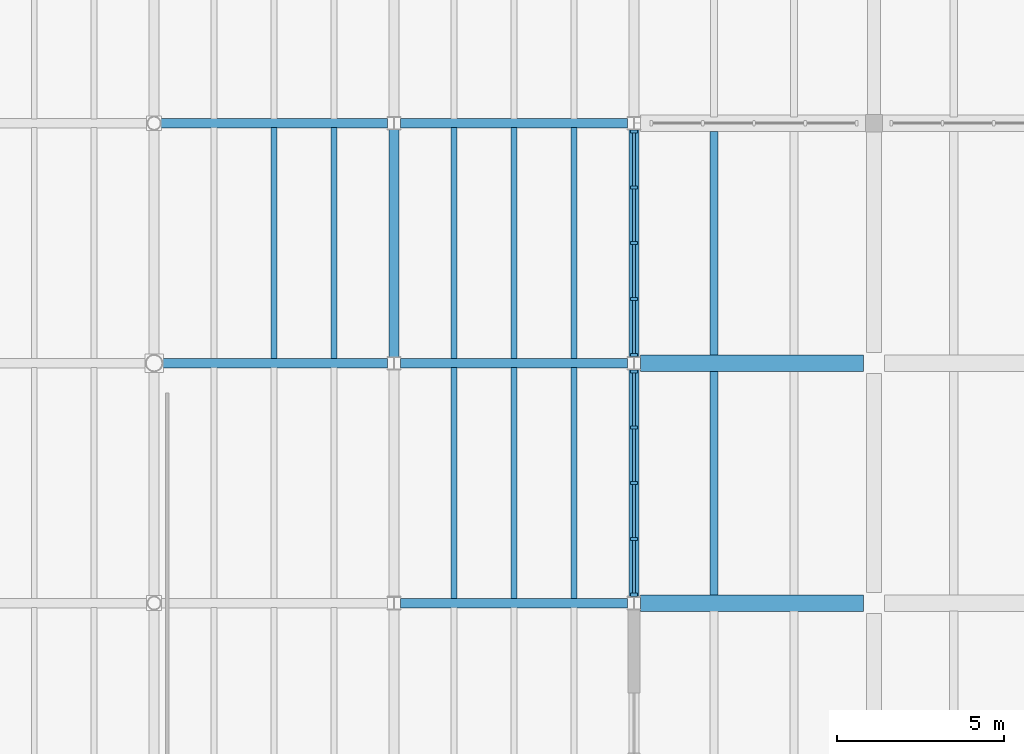
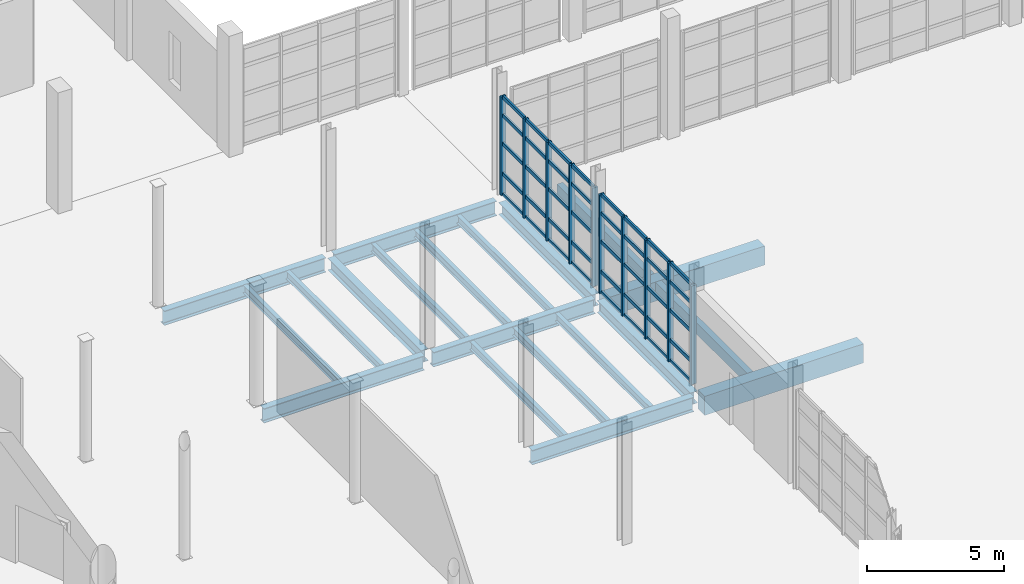
# One storey, part 36 of 79: 50 members, 20 beams, 2 elements without a shape of their own.
"""IFC4 building model written with IfcOpenShell, lengths in metres."""

from ifc_helpers import new_model, si_unit, direction, frame, origin, origin_2d, place, context, subcontext, project, spatial, rectangle, i_section, extrude, material, material_profile, profile_set, type_object, element, aggregate, save


model = new_model("IFC4")

# Units and contexts
model_context = context("Model", 3, precision=1e-05, world=origin(), true_north=direction((0.0, 1.0)))
body_context = subcontext(model_context, "Body", "Model", "MODEL_VIEW")
ifc_project = project(units=[si_unit("LENGTHUNIT", "METRE"), si_unit("AREAUNIT", "SQUARE_METRE"), si_unit("VOLUMEUNIT", "CUBIC_METRE"), si_unit("PLANEANGLEUNIT", "RADIAN"), si_unit("MASSUNIT", "GRAM", prefix="KILO")], contexts=[model_context])

# Site, building, storey
site_placement = place(None, origin())
site = spatial("IfcSite", under=ifc_project, at=site_placement, CompositionType="ELEMENT")
building_placement = place(site_placement, origin())
building = spatial("IfcBuilding", under=site, at=building_placement, Name="Qiaolan Assembly House", CompositionType="ELEMENT")
storey_placement = place(building_placement, origin())
storey = spatial("IfcBuildingStorey", under=building, at=storey_placement, Name="L00", CompositionType="ELEMENT", Elevation=0.0)

# Beams
ifc_material_1 = material(Name="Concrete C45/55", Category="concrete")
ifc_material_profile_1 = material_profile(ifc_material_1, rectangle(XDim=0.5, YDim=0.85009765625, at=origin_2d()), Name="RCB 500x850")
ifc_profile_set_1 = profile_set([ifc_material_profile_1], Name="Concrete C45/55")
beam_type_1 = type_object("IfcBeamType", Name="BM-RC-500x850", PredefinedType="BEAM", material=ifc_profile_set_1)
for number, where, z_axis, x_axis, name in (
    (1, (108.18994140625, 64.800048828125, -0.764892578125), (1.0, 0.0, 0.0), (0.0, 1.0, 0.0), "GB-02 beam BMX-CLCRT-L00-00-03"),
    (2, (108.18994140625, 72.0, -0.764892578125), (1.0, 0.0, 0.0), (0.0, 1.0, 0.0), "GB-02 beam BMX-CLCRT-L00-00-04"),
):
    element("IfcBeam", number, at=place(storey_placement, frame(where, z_axis=z_axis, x_axis=x_axis)), inside=storey, type_object=beam_type_1, Name=name, PredefinedType="BEAM", context=body_context, shape_type="SweptSolid", body=[
        extrude(rectangle(XDim=0.5, YDim=0.85009765625, at=origin_2d()), origin(), (0.0, 0.0, 1.0), 6.695068359375),
    ])
ifc_material_2 = material(Name="Steel Q355B", Category="steel")
ifc_material_profile_2 = material_profile(ifc_material_2, i_section(OverallWidth=0.300048828125, OverallDepth=0.5400390625, WebThickness=0.010986328125, FlangeThickness=0.01806640625, FilletRadius=0.02001953125, at=origin_2d()), Name="HM 540x300x11x18")
ifc_profile_set_2 = profile_set([ifc_material_profile_2], Name="Steel Q355B")
beam_type_2 = type_object("IfcBeamType", Name="BM-STL-HM540", PredefinedType="BEAM", material=ifc_profile_set_2)
for number, where, z_axis, x_axis, name in (
    (3, (100.800048828125, 72.18994140625, -0.570068359375), (0.0, 1.0, 0.0), (-1.0, 0.0, 0.0), "SB-12 beam BMY-HL-L00-11-05"),
    (4, (108.0, 64.989990234375, -0.610107421875), (0.0, 1.0, 0.0), (-1.0, 0.0, 0.0), "SB-12 beam BMY-HL-L00-12-04"),
    (5, (108.0, 72.18994140625, -0.610107421875), (0.0, 1.0, 0.0), (-1.0, 0.0, 0.0), "SB-12 beam BMY-HL-L00-12-05"),
):
    element("IfcBeam", number, at=place(storey_placement, frame(where, z_axis=z_axis, x_axis=x_axis)), inside=storey, type_object=beam_type_2, Name=name, PredefinedType="BEAM", context=body_context, shape_type="SweptSolid", body=[
        extrude(i_section(OverallWidth=0.300048828125, OverallDepth=0.5400390625, WebThickness=0.010986328125, FlangeThickness=0.01806640625, FilletRadius=0.02001953125, at=origin_2d()), origin(), (0.0, 0.0, 1.0), 6.820068359375),
    ])
ifc_material_profile_3 = material_profile(ifc_material_2, i_section(OverallWidth=0.280029296875, OverallDepth=0.64990234375, WebThickness=0.011962890625, FlangeThickness=0.02197265625, FilletRadius=0.02197265625, at=origin_2d()), Name="HN 650x280x12x22")
ifc_profile_set_3 = profile_set([ifc_material_profile_3], Name="Steel Q355B")
beam_type_3 = type_object("IfcBeamType", Name="BM-STL-HN650", PredefinedType="BEAM", material=ifc_profile_set_3)
beam_1_placement = place(storey_placement, frame((100.989990234375, 64.800048828125, -0.625), z_axis=(1.0, 0.0, 0.0), x_axis=(0.0, 1.0, 0.0)))
element("IfcBeam", 6, at=beam_1_placement, inside=storey, type_object=beam_type_3, Name="SB-10 beam BMX-HL-L00-11-04", PredefinedType="BEAM", context=body_context, shape_type="SweptSolid", body=[
    extrude(i_section(OverallWidth=0.280029296875, OverallDepth=0.64990234375, WebThickness=0.011962890625, FlangeThickness=0.02197265625, FilletRadius=0.02197265625, at=origin_2d()), origin(), (0.0, 0.0, 1.0), 6.820068359375),
])
beam_2_placement = place(storey_placement, frame((93.843994140625, 72.0, -0.625), z_axis=(1.0, 0.0, 0.0), x_axis=(0.0, 1.0, 0.0)))
element("IfcBeam", 7, at=beam_2_placement, inside=storey, type_object=beam_type_3, Name="SB-10 beam BMX-HL-L00-10-05", PredefinedType="BEAM", context=body_context, shape_type="SweptSolid", body=[
    extrude(i_section(OverallWidth=0.280029296875, OverallDepth=0.64990234375, WebThickness=0.011962890625, FlangeThickness=0.02197265625, FilletRadius=0.02197265625, at=origin_2d()), origin(), (0.0, 0.0, 1.0), 6.76611328125),
])
beam_3_placement = place(storey_placement, frame((100.989990234375, 72.0, -0.625), z_axis=(1.0, 0.0, 0.0), x_axis=(0.0, 1.0, 0.0)))
element("IfcBeam", 8, at=beam_3_placement, inside=storey, type_object=beam_type_3, Name="SB-10 beam BMX-HL-L00-11-05", PredefinedType="BEAM", context=body_context, shape_type="SweptSolid", body=[
    extrude(i_section(OverallWidth=0.280029296875, OverallDepth=0.64990234375, WebThickness=0.011962890625, FlangeThickness=0.02197265625, FilletRadius=0.02197265625, at=origin_2d()), origin(), (0.0, 0.0, 1.0), 6.820068359375),
])
beam_4_placement = place(storey_placement, frame((93.793212890625, 79.199951171875, -0.625), z_axis=(1.0, 0.0, 0.0), x_axis=(0.0, 1.0, 0.0)))
element("IfcBeam", 9, at=beam_4_placement, inside=storey, type_object=beam_type_3, Name="SB-10 beam BMX-HL-L00-10-06", PredefinedType="BEAM", context=body_context, shape_type="SweptSolid", body=[
    extrude(i_section(OverallWidth=0.280029296875, OverallDepth=0.64990234375, WebThickness=0.011962890625, FlangeThickness=0.02197265625, FilletRadius=0.02197265625, at=origin_2d()), origin(), (0.0, 0.0, 1.0), 6.81689453125),
])
beam_5_placement = place(storey_placement, frame((100.989990234375, 79.199951171875, -0.625), z_axis=(1.0, 0.0, 0.0), x_axis=(0.0, 1.0, 0.0)))
element("IfcBeam", 10, at=beam_5_placement, inside=storey, type_object=beam_type_3, Name="SB-10 beam BMX-HL-L00-11-06", PredefinedType="BEAM", context=body_context, shape_type="SweptSolid", body=[
    extrude(i_section(OverallWidth=0.280029296875, OverallDepth=0.64990234375, WebThickness=0.011962890625, FlangeThickness=0.02197265625, FilletRadius=0.02197265625, at=origin_2d()), origin(), (0.0, 0.0, 1.0), 6.820068359375),
])

# Curtain wall, members
ifc_material_3 = material(Name="Anodised bronze aluminium", Category="aluminium")
curtain_wall_type = type_object("IfcCurtainWallType", Name="CW-HALL-MAIN-540", PredefinedType="NOTDEFINED", material=ifc_material_3)
curtain_wall_1_placement = place(storey_placement, origin())
curtain_wall_1 = element("IfcCurtainWall", 11, at=curtain_wall_1_placement, inside=storey, type_object=curtain_wall_type, Name="CW-01 Hall East court curtain wall L00-4", PredefinedType="NOTDEFINED")
ifc_material_profile_4 = material_profile(ifc_material_3, rectangle(XDim=0.092041015625, YDim=0.219970703125, at=origin_2d()), Name="MUL 92x220")
ifc_profile_set_4 = profile_set([ifc_material_profile_4], Name="Anodised bronze aluminium")
member_type_1 = type_object("IfcMemberType", Name="CW-HALL-MAIN-540-MUL", PredefinedType="MULLION", material=ifc_profile_set_4)
member_1_placement = place(storey_placement, frame((108.0, 71.75, 0.0), z_axis=(0.0, 0.0, 1.0), x_axis=(0.0, -1.0, 0.0)))
member_1 = element("IfcMember", 12, at=member_1_placement, type_object=member_type_1, Name="ML-01 mullion CW-HALL-E-L00-03-1", PredefinedType="MULLION", context=body_context, shape_type="SweptSolid", body=[
    extrude(rectangle(XDim=0.092041015625, YDim=0.219970703125, at=origin_2d()), origin(), (0.0, 0.0, 1.0), 4.39990234375),
])
member_2_placement = place(storey_placement, frame((108.0, 70.074951171875, 0.0), z_axis=(0.0, 0.0, 1.0), x_axis=(0.0, -1.0, 0.0)))
member_2 = element("IfcMember", 13, at=member_2_placement, type_object=member_type_1, Name="ML-01 mullion CW-HALL-E-L00-03-2", PredefinedType="MULLION", context=body_context, shape_type="SweptSolid", body=[
    extrude(rectangle(XDim=0.092041015625, YDim=0.219970703125, at=origin_2d()), origin(), (0.0, 0.0, 1.0), 4.39990234375),
])
member_3_placement = place(storey_placement, frame((108.0, 68.39990234375, 0.0), z_axis=(0.0, 0.0, 1.0), x_axis=(0.0, -1.0, 0.0)))
member_3 = element("IfcMember", 14, at=member_3_placement, type_object=member_type_1, Name="ML-01 mullion CW-HALL-E-L00-03-3", PredefinedType="MULLION", context=body_context, shape_type="SweptSolid", body=[
    extrude(rectangle(XDim=0.092041015625, YDim=0.219970703125, at=origin_2d()), origin(), (0.0, 0.0, 1.0), 4.39990234375),
])
member_4_placement = place(storey_placement, frame((108.0, 66.72509765625, 0.0), z_axis=(0.0, 0.0, 1.0), x_axis=(0.0, -1.0, 0.0)))
member_4 = element("IfcMember", 15, at=member_4_placement, type_object=member_type_1, Name="ML-01 mullion CW-HALL-E-L00-03-4", PredefinedType="MULLION", context=body_context, shape_type="SweptSolid", body=[
    extrude(rectangle(XDim=0.092041015625, YDim=0.219970703125, at=origin_2d()), origin(), (0.0, 0.0, 1.0), 4.39990234375),
])
member_5_placement = place(storey_placement, frame((108.0, 65.050048828125, 0.0), z_axis=(0.0, 0.0, 1.0), x_axis=(0.0, -1.0, 0.0)))
member_5 = element("IfcMember", 16, at=member_5_placement, type_object=member_type_1, Name="ML-01 mullion CW-HALL-E-L00-03-5", PredefinedType="MULLION", context=body_context, shape_type="SweptSolid", body=[
    extrude(rectangle(XDim=0.092041015625, YDim=0.219970703125, at=origin_2d()), origin(), (0.0, 0.0, 1.0), 4.39990234375),
])

curtain_wall_2_placement = place(storey_placement, origin())
curtain_wall_2 = element("IfcCurtainWall", 17, at=curtain_wall_2_placement, inside=storey, type_object=curtain_wall_type, Name="CW-01 Hall East court curtain wall L00-5", PredefinedType="NOTDEFINED")
member_6_placement = place(storey_placement, frame((108.0, 78.949951171875, 0.0), z_axis=(0.0, 0.0, 1.0), x_axis=(0.0, -1.0, 0.0)))
member_6 = element("IfcMember", 18, at=member_6_placement, type_object=member_type_1, Name="ML-01 mullion CW-HALL-E-L00-04-1", PredefinedType="MULLION", context=body_context, shape_type="SweptSolid", body=[
    extrude(rectangle(XDim=0.092041015625, YDim=0.219970703125, at=origin_2d()), origin(), (0.0, 0.0, 1.0), 4.39990234375),
])
member_7_placement = place(storey_placement, frame((108.0, 77.27490234375, 0.0), z_axis=(0.0, 0.0, 1.0), x_axis=(0.0, -1.0, 0.0)))
member_7 = element("IfcMember", 19, at=member_7_placement, type_object=member_type_1, Name="ML-01 mullion CW-HALL-E-L00-04-2", PredefinedType="MULLION", context=body_context, shape_type="SweptSolid", body=[
    extrude(rectangle(XDim=0.092041015625, YDim=0.219970703125, at=origin_2d()), origin(), (0.0, 0.0, 1.0), 4.39990234375),
])
member_8_placement = place(storey_placement, frame((108.0, 75.60009765625, 0.0), z_axis=(0.0, 0.0, 1.0), x_axis=(0.0, -1.0, 0.0)))
member_8 = element("IfcMember", 20, at=member_8_placement, type_object=member_type_1, Name="ML-01 mullion CW-HALL-E-L00-04-3", PredefinedType="MULLION", context=body_context, shape_type="SweptSolid", body=[
    extrude(rectangle(XDim=0.092041015625, YDim=0.219970703125, at=origin_2d()), origin(), (0.0, 0.0, 1.0), 4.39990234375),
])
member_9_placement = place(storey_placement, frame((108.0, 73.925048828125, 0.0), z_axis=(0.0, 0.0, 1.0), x_axis=(0.0, -1.0, 0.0)))
member_9 = element("IfcMember", 21, at=member_9_placement, type_object=member_type_1, Name="ML-01 mullion CW-HALL-E-L00-04-4", PredefinedType="MULLION", context=body_context, shape_type="SweptSolid", body=[
    extrude(rectangle(XDim=0.092041015625, YDim=0.219970703125, at=origin_2d()), origin(), (0.0, 0.0, 1.0), 4.39990234375),
])
member_10_placement = place(storey_placement, frame((108.0, 72.25, 0.0), z_axis=(0.0, 0.0, 1.0), x_axis=(0.0, -1.0, 0.0)))
member_10 = element("IfcMember", 22, at=member_10_placement, type_object=member_type_1, Name="ML-01 mullion CW-HALL-E-L00-04-5", PredefinedType="MULLION", context=body_context, shape_type="SweptSolid", body=[
    extrude(rectangle(XDim=0.092041015625, YDim=0.219970703125, at=origin_2d()), origin(), (0.0, 0.0, 1.0), 4.39990234375),
])

# Member
ifc_material_profile_5 = material_profile(ifc_material_3, rectangle(XDim=0.08203125, YDim=0.159912109375, at=origin_2d()), Name="TRN 82x160")
ifc_profile_set_5 = profile_set([ifc_material_profile_5], Name="Anodised bronze aluminium")
member_type_2 = type_object("IfcMemberType", Name="CW-HALL-MAIN-540-TRN", PredefinedType="USERDEFINED", material=ifc_profile_set_5)
member_11_placement = place(storey_placement, frame((108.0, 71.7041015625, 0.030029296875), z_axis=(0.0, -1.0, 0.0), x_axis=(1.0, 0.0, 0.0)))
member_11 = element("IfcMember", 23, at=member_11_placement, type_object=member_type_2, Name="TR-01 transom CW-HALL-E-L00-03-1-1", ObjectType="TRANSOM", PredefinedType="USERDEFINED", context=body_context, shape_type="SweptSolid", body=[
    extrude(rectangle(XDim=0.08203125, YDim=0.159912109375, at=origin_2d()), origin(), (0.0, 0.0, 1.0), 1.5830078125),
])

member_12_placement = place(storey_placement, frame((108.0, 71.7041015625, 0.949951171875), z_axis=(0.0, -1.0, 0.0), x_axis=(1.0, 0.0, 0.0)))
member_12 = element("IfcMember", 24, at=member_12_placement, type_object=member_type_2, Name="TR-01 transom CW-HALL-E-L00-03-1-2", ObjectType="TRANSOM", PredefinedType="USERDEFINED", context=body_context, shape_type="SweptSolid", body=[
    extrude(rectangle(XDim=0.08203125, YDim=0.159912109375, at=origin_2d()), origin(), (0.0, 0.0, 1.0), 1.5830078125),
])

member_13_placement = place(storey_placement, frame((108.0, 71.7041015625, 2.2880859375), z_axis=(0.0, -1.0, 0.0), x_axis=(1.0, 0.0, 0.0)))
member_13 = element("IfcMember", 25, at=member_13_placement, type_object=member_type_2, Name="TR-01 transom CW-HALL-E-L00-03-1-3", ObjectType="TRANSOM", PredefinedType="USERDEFINED", context=body_context, shape_type="SweptSolid", body=[
    extrude(rectangle(XDim=0.08203125, YDim=0.159912109375, at=origin_2d()), origin(), (0.0, 0.0, 1.0), 1.5830078125),
])

member_14_placement = place(storey_placement, frame((108.0, 71.7041015625, 3.550048828125), z_axis=(0.0, -1.0, 0.0), x_axis=(1.0, 0.0, 0.0)))
member_14 = element("IfcMember", 26, at=member_14_placement, type_object=member_type_2, Name="TR-01 transom CW-HALL-E-L00-03-1-4", ObjectType="TRANSOM", PredefinedType="USERDEFINED", context=body_context, shape_type="SweptSolid", body=[
    extrude(rectangle(XDim=0.08203125, YDim=0.159912109375, at=origin_2d()), origin(), (0.0, 0.0, 1.0), 1.5830078125),
])

member_15_placement = place(storey_placement, frame((108.0, 71.7041015625, 4.3701171875), z_axis=(0.0, -1.0, 0.0), x_axis=(1.0, 0.0, 0.0)))
member_15 = element("IfcMember", 27, at=member_15_placement, type_object=member_type_2, Name="TR-01 transom CW-HALL-E-L00-03-1-5", ObjectType="TRANSOM", PredefinedType="USERDEFINED", context=body_context, shape_type="SweptSolid", body=[
    extrude(rectangle(XDim=0.08203125, YDim=0.159912109375, at=origin_2d()), origin(), (0.0, 0.0, 1.0), 1.5830078125),
])

member_16_placement = place(storey_placement, frame((108.0, 70.029052734375, 0.030029296875), z_axis=(0.0, -1.0, 0.0), x_axis=(1.0, 0.0, 0.0)))
member_16 = element("IfcMember", 28, at=member_16_placement, type_object=member_type_2, Name="TR-01 transom CW-HALL-E-L00-03-2-1", ObjectType="TRANSOM", PredefinedType="USERDEFINED", context=body_context, shape_type="SweptSolid", body=[
    extrude(rectangle(XDim=0.08203125, YDim=0.159912109375, at=origin_2d()), origin(), (0.0, 0.0, 1.0), 1.5830078125),
])

member_17_placement = place(storey_placement, frame((108.0, 70.029052734375, 0.949951171875), z_axis=(0.0, -1.0, 0.0), x_axis=(1.0, 0.0, 0.0)))
member_17 = element("IfcMember", 29, at=member_17_placement, type_object=member_type_2, Name="TR-01 transom CW-HALL-E-L00-03-2-2", ObjectType="TRANSOM", PredefinedType="USERDEFINED", context=body_context, shape_type="SweptSolid", body=[
    extrude(rectangle(XDim=0.08203125, YDim=0.159912109375, at=origin_2d()), origin(), (0.0, 0.0, 1.0), 1.5830078125),
])

member_18_placement = place(storey_placement, frame((108.0, 70.029052734375, 2.2880859375), z_axis=(0.0, -1.0, 0.0), x_axis=(1.0, 0.0, 0.0)))
member_18 = element("IfcMember", 30, at=member_18_placement, type_object=member_type_2, Name="TR-01 transom CW-HALL-E-L00-03-2-3", ObjectType="TRANSOM", PredefinedType="USERDEFINED", context=body_context, shape_type="SweptSolid", body=[
    extrude(rectangle(XDim=0.08203125, YDim=0.159912109375, at=origin_2d()), origin(), (0.0, 0.0, 1.0), 1.5830078125),
])

member_19_placement = place(storey_placement, frame((108.0, 70.029052734375, 3.550048828125), z_axis=(0.0, -1.0, 0.0), x_axis=(1.0, 0.0, 0.0)))
member_19 = element("IfcMember", 31, at=member_19_placement, type_object=member_type_2, Name="TR-01 transom CW-HALL-E-L00-03-2-4", ObjectType="TRANSOM", PredefinedType="USERDEFINED", context=body_context, shape_type="SweptSolid", body=[
    extrude(rectangle(XDim=0.08203125, YDim=0.159912109375, at=origin_2d()), origin(), (0.0, 0.0, 1.0), 1.5830078125),
])

member_20_placement = place(storey_placement, frame((108.0, 70.029052734375, 4.3701171875), z_axis=(0.0, -1.0, 0.0), x_axis=(1.0, 0.0, 0.0)))
member_20 = element("IfcMember", 32, at=member_20_placement, type_object=member_type_2, Name="TR-01 transom CW-HALL-E-L00-03-2-5", ObjectType="TRANSOM", PredefinedType="USERDEFINED", context=body_context, shape_type="SweptSolid", body=[
    extrude(rectangle(XDim=0.08203125, YDim=0.159912109375, at=origin_2d()), origin(), (0.0, 0.0, 1.0), 1.5830078125),
])

member_21_placement = place(storey_placement, frame((108.0, 68.35400390625, 0.030029296875), z_axis=(0.0, -1.0, 0.0), x_axis=(1.0, 0.0, 0.0)))
member_21 = element("IfcMember", 33, at=member_21_placement, type_object=member_type_2, Name="TR-01 transom CW-HALL-E-L00-03-3-1", ObjectType="TRANSOM", PredefinedType="USERDEFINED", context=body_context, shape_type="SweptSolid", body=[
    extrude(rectangle(XDim=0.08203125, YDim=0.159912109375, at=origin_2d()), origin(), (0.0, 0.0, 1.0), 1.5830078125),
])

member_22_placement = place(storey_placement, frame((108.0, 68.35400390625, 0.949951171875), z_axis=(0.0, -1.0, 0.0), x_axis=(1.0, 0.0, 0.0)))
member_22 = element("IfcMember", 34, at=member_22_placement, type_object=member_type_2, Name="TR-01 transom CW-HALL-E-L00-03-3-2", ObjectType="TRANSOM", PredefinedType="USERDEFINED", context=body_context, shape_type="SweptSolid", body=[
    extrude(rectangle(XDim=0.08203125, YDim=0.159912109375, at=origin_2d()), origin(), (0.0, 0.0, 1.0), 1.5830078125),
])

member_23_placement = place(storey_placement, frame((108.0, 68.35400390625, 2.2880859375), z_axis=(0.0, -1.0, 0.0), x_axis=(1.0, 0.0, 0.0)))
member_23 = element("IfcMember", 35, at=member_23_placement, type_object=member_type_2, Name="TR-01 transom CW-HALL-E-L00-03-3-3", ObjectType="TRANSOM", PredefinedType="USERDEFINED", context=body_context, shape_type="SweptSolid", body=[
    extrude(rectangle(XDim=0.08203125, YDim=0.159912109375, at=origin_2d()), origin(), (0.0, 0.0, 1.0), 1.5830078125),
])

member_24_placement = place(storey_placement, frame((108.0, 68.35400390625, 3.550048828125), z_axis=(0.0, -1.0, 0.0), x_axis=(1.0, 0.0, 0.0)))
member_24 = element("IfcMember", 36, at=member_24_placement, type_object=member_type_2, Name="TR-01 transom CW-HALL-E-L00-03-3-4", ObjectType="TRANSOM", PredefinedType="USERDEFINED", context=body_context, shape_type="SweptSolid", body=[
    extrude(rectangle(XDim=0.08203125, YDim=0.159912109375, at=origin_2d()), origin(), (0.0, 0.0, 1.0), 1.5830078125),
])

member_25_placement = place(storey_placement, frame((108.0, 68.35400390625, 4.3701171875), z_axis=(0.0, -1.0, 0.0), x_axis=(1.0, 0.0, 0.0)))
member_25 = element("IfcMember", 37, at=member_25_placement, type_object=member_type_2, Name="TR-01 transom CW-HALL-E-L00-03-3-5", ObjectType="TRANSOM", PredefinedType="USERDEFINED", context=body_context, shape_type="SweptSolid", body=[
    extrude(rectangle(XDim=0.08203125, YDim=0.159912109375, at=origin_2d()), origin(), (0.0, 0.0, 1.0), 1.5830078125),
])

member_26_placement = place(storey_placement, frame((108.0, 66.678955078125, 0.030029296875), z_axis=(0.0, -1.0, 0.0), x_axis=(1.0, 0.0, 0.0)))
member_26 = element("IfcMember", 38, at=member_26_placement, type_object=member_type_2, Name="TR-01 transom CW-HALL-E-L00-03-4-1", ObjectType="TRANSOM", PredefinedType="USERDEFINED", context=body_context, shape_type="SweptSolid", body=[
    extrude(rectangle(XDim=0.08203125, YDim=0.159912109375, at=origin_2d()), origin(), (0.0, 0.0, 1.0), 1.5830078125),
])

member_27_placement = place(storey_placement, frame((108.0, 66.678955078125, 0.949951171875), z_axis=(0.0, -1.0, 0.0), x_axis=(1.0, 0.0, 0.0)))
member_27 = element("IfcMember", 39, at=member_27_placement, type_object=member_type_2, Name="TR-01 transom CW-HALL-E-L00-03-4-2", ObjectType="TRANSOM", PredefinedType="USERDEFINED", context=body_context, shape_type="SweptSolid", body=[
    extrude(rectangle(XDim=0.08203125, YDim=0.159912109375, at=origin_2d()), origin(), (0.0, 0.0, 1.0), 1.5830078125),
])

member_28_placement = place(storey_placement, frame((108.0, 66.678955078125, 2.2880859375), z_axis=(0.0, -1.0, 0.0), x_axis=(1.0, 0.0, 0.0)))
member_28 = element("IfcMember", 40, at=member_28_placement, type_object=member_type_2, Name="TR-01 transom CW-HALL-E-L00-03-4-3", ObjectType="TRANSOM", PredefinedType="USERDEFINED", context=body_context, shape_type="SweptSolid", body=[
    extrude(rectangle(XDim=0.08203125, YDim=0.159912109375, at=origin_2d()), origin(), (0.0, 0.0, 1.0), 1.5830078125),
])

member_29_placement = place(storey_placement, frame((108.0, 66.678955078125, 3.550048828125), z_axis=(0.0, -1.0, 0.0), x_axis=(1.0, 0.0, 0.0)))
member_29 = element("IfcMember", 41, at=member_29_placement, type_object=member_type_2, Name="TR-01 transom CW-HALL-E-L00-03-4-4", ObjectType="TRANSOM", PredefinedType="USERDEFINED", context=body_context, shape_type="SweptSolid", body=[
    extrude(rectangle(XDim=0.08203125, YDim=0.159912109375, at=origin_2d()), origin(), (0.0, 0.0, 1.0), 1.5830078125),
])

member_30_placement = place(storey_placement, frame((108.0, 66.678955078125, 4.3701171875), z_axis=(0.0, -1.0, 0.0), x_axis=(1.0, 0.0, 0.0)))
member_30 = element("IfcMember", 42, at=member_30_placement, type_object=member_type_2, Name="TR-01 transom CW-HALL-E-L00-03-4-5", ObjectType="TRANSOM", PredefinedType="USERDEFINED", context=body_context, shape_type="SweptSolid", body=[
    extrude(rectangle(XDim=0.08203125, YDim=0.159912109375, at=origin_2d()), origin(), (0.0, 0.0, 1.0), 1.5830078125),
])

aggregate(curtain_wall_1, [member_1, member_2, member_3, member_4, member_5, member_11, member_12, member_13, member_14, member_15, member_16, member_17, member_18, member_19, member_20, member_21, member_22, member_23, member_24, member_25, member_26, member_27, member_28, member_29, member_30])

member_31_placement = place(storey_placement, frame((108.0, 78.904052734375, 0.030029296875), z_axis=(0.0, -1.0, 0.0), x_axis=(1.0, 0.0, 0.0)))
member_31 = element("IfcMember", 43, at=member_31_placement, type_object=member_type_2, Name="TR-01 transom CW-HALL-E-L00-04-1-1", ObjectType="TRANSOM", PredefinedType="USERDEFINED", context=body_context, shape_type="SweptSolid", body=[
    extrude(rectangle(XDim=0.08203125, YDim=0.159912109375, at=origin_2d()), origin(), (0.0, 0.0, 1.0), 1.5830078125),
])

member_32_placement = place(storey_placement, frame((108.0, 78.904052734375, 0.949951171875), z_axis=(0.0, -1.0, 0.0), x_axis=(1.0, 0.0, 0.0)))
member_32 = element("IfcMember", 44, at=member_32_placement, type_object=member_type_2, Name="TR-01 transom CW-HALL-E-L00-04-1-2", ObjectType="TRANSOM", PredefinedType="USERDEFINED", context=body_context, shape_type="SweptSolid", body=[
    extrude(rectangle(XDim=0.08203125, YDim=0.159912109375, at=origin_2d()), origin(), (0.0, 0.0, 1.0), 1.5830078125),
])

member_33_placement = place(storey_placement, frame((108.0, 78.904052734375, 2.2880859375), z_axis=(0.0, -1.0, 0.0), x_axis=(1.0, 0.0, 0.0)))
member_33 = element("IfcMember", 45, at=member_33_placement, type_object=member_type_2, Name="TR-01 transom CW-HALL-E-L00-04-1-3", ObjectType="TRANSOM", PredefinedType="USERDEFINED", context=body_context, shape_type="SweptSolid", body=[
    extrude(rectangle(XDim=0.08203125, YDim=0.159912109375, at=origin_2d()), origin(), (0.0, 0.0, 1.0), 1.5830078125),
])

member_34_placement = place(storey_placement, frame((108.0, 78.904052734375, 3.550048828125), z_axis=(0.0, -1.0, 0.0), x_axis=(1.0, 0.0, 0.0)))
member_34 = element("IfcMember", 46, at=member_34_placement, type_object=member_type_2, Name="TR-01 transom CW-HALL-E-L00-04-1-4", ObjectType="TRANSOM", PredefinedType="USERDEFINED", context=body_context, shape_type="SweptSolid", body=[
    extrude(rectangle(XDim=0.08203125, YDim=0.159912109375, at=origin_2d()), origin(), (0.0, 0.0, 1.0), 1.5830078125),
])

member_35_placement = place(storey_placement, frame((108.0, 78.904052734375, 4.3701171875), z_axis=(0.0, -1.0, 0.0), x_axis=(1.0, 0.0, 0.0)))
member_35 = element("IfcMember", 47, at=member_35_placement, type_object=member_type_2, Name="TR-01 transom CW-HALL-E-L00-04-1-5", ObjectType="TRANSOM", PredefinedType="USERDEFINED", context=body_context, shape_type="SweptSolid", body=[
    extrude(rectangle(XDim=0.08203125, YDim=0.159912109375, at=origin_2d()), origin(), (0.0, 0.0, 1.0), 1.5830078125),
])

member_36_placement = place(storey_placement, frame((108.0, 77.22900390625, 0.030029296875), z_axis=(0.0, -1.0, 0.0), x_axis=(1.0, 0.0, 0.0)))
member_36 = element("IfcMember", 48, at=member_36_placement, type_object=member_type_2, Name="TR-01 transom CW-HALL-E-L00-04-2-1", ObjectType="TRANSOM", PredefinedType="USERDEFINED", context=body_context, shape_type="SweptSolid", body=[
    extrude(rectangle(XDim=0.08203125, YDim=0.159912109375, at=origin_2d()), origin(), (0.0, 0.0, 1.0), 1.5830078125),
])

member_37_placement = place(storey_placement, frame((108.0, 77.22900390625, 0.949951171875), z_axis=(0.0, -1.0, 0.0), x_axis=(1.0, 0.0, 0.0)))
member_37 = element("IfcMember", 49, at=member_37_placement, type_object=member_type_2, Name="TR-01 transom CW-HALL-E-L00-04-2-2", ObjectType="TRANSOM", PredefinedType="USERDEFINED", context=body_context, shape_type="SweptSolid", body=[
    extrude(rectangle(XDim=0.08203125, YDim=0.159912109375, at=origin_2d()), origin(), (0.0, 0.0, 1.0), 1.5830078125),
])

member_38_placement = place(storey_placement, frame((108.0, 77.22900390625, 2.2880859375), z_axis=(0.0, -1.0, 0.0), x_axis=(1.0, 0.0, 0.0)))
member_38 = element("IfcMember", 50, at=member_38_placement, type_object=member_type_2, Name="TR-01 transom CW-HALL-E-L00-04-2-3", ObjectType="TRANSOM", PredefinedType="USERDEFINED", context=body_context, shape_type="SweptSolid", body=[
    extrude(rectangle(XDim=0.08203125, YDim=0.159912109375, at=origin_2d()), origin(), (0.0, 0.0, 1.0), 1.5830078125),
])

member_39_placement = place(storey_placement, frame((108.0, 77.22900390625, 3.550048828125), z_axis=(0.0, -1.0, 0.0), x_axis=(1.0, 0.0, 0.0)))
member_39 = element("IfcMember", 51, at=member_39_placement, type_object=member_type_2, Name="TR-01 transom CW-HALL-E-L00-04-2-4", ObjectType="TRANSOM", PredefinedType="USERDEFINED", context=body_context, shape_type="SweptSolid", body=[
    extrude(rectangle(XDim=0.08203125, YDim=0.159912109375, at=origin_2d()), origin(), (0.0, 0.0, 1.0), 1.5830078125),
])

member_40_placement = place(storey_placement, frame((108.0, 77.22900390625, 4.3701171875), z_axis=(0.0, -1.0, 0.0), x_axis=(1.0, 0.0, 0.0)))
member_40 = element("IfcMember", 52, at=member_40_placement, type_object=member_type_2, Name="TR-01 transom CW-HALL-E-L00-04-2-5", ObjectType="TRANSOM", PredefinedType="USERDEFINED", context=body_context, shape_type="SweptSolid", body=[
    extrude(rectangle(XDim=0.08203125, YDim=0.159912109375, at=origin_2d()), origin(), (0.0, 0.0, 1.0), 1.5830078125),
])

member_41_placement = place(storey_placement, frame((108.0, 75.553955078125, 0.030029296875), z_axis=(0.0, -1.0, 0.0), x_axis=(1.0, 0.0, 0.0)))
member_41 = element("IfcMember", 53, at=member_41_placement, type_object=member_type_2, Name="TR-01 transom CW-HALL-E-L00-04-3-1", ObjectType="TRANSOM", PredefinedType="USERDEFINED", context=body_context, shape_type="SweptSolid", body=[
    extrude(rectangle(XDim=0.08203125, YDim=0.159912109375, at=origin_2d()), origin(), (0.0, 0.0, 1.0), 1.5830078125),
])

member_42_placement = place(storey_placement, frame((108.0, 75.553955078125, 0.949951171875), z_axis=(0.0, -1.0, 0.0), x_axis=(1.0, 0.0, 0.0)))
member_42 = element("IfcMember", 54, at=member_42_placement, type_object=member_type_2, Name="TR-01 transom CW-HALL-E-L00-04-3-2", ObjectType="TRANSOM", PredefinedType="USERDEFINED", context=body_context, shape_type="SweptSolid", body=[
    extrude(rectangle(XDim=0.08203125, YDim=0.159912109375, at=origin_2d()), origin(), (0.0, 0.0, 1.0), 1.5830078125),
])

member_43_placement = place(storey_placement, frame((108.0, 75.553955078125, 2.2880859375), z_axis=(0.0, -1.0, 0.0), x_axis=(1.0, 0.0, 0.0)))
member_43 = element("IfcMember", 55, at=member_43_placement, type_object=member_type_2, Name="TR-01 transom CW-HALL-E-L00-04-3-3", ObjectType="TRANSOM", PredefinedType="USERDEFINED", context=body_context, shape_type="SweptSolid", body=[
    extrude(rectangle(XDim=0.08203125, YDim=0.159912109375, at=origin_2d()), origin(), (0.0, 0.0, 1.0), 1.5830078125),
])

member_44_placement = place(storey_placement, frame((108.0, 75.553955078125, 3.550048828125), z_axis=(0.0, -1.0, 0.0), x_axis=(1.0, 0.0, 0.0)))
member_44 = element("IfcMember", 56, at=member_44_placement, type_object=member_type_2, Name="TR-01 transom CW-HALL-E-L00-04-3-4", ObjectType="TRANSOM", PredefinedType="USERDEFINED", context=body_context, shape_type="SweptSolid", body=[
    extrude(rectangle(XDim=0.08203125, YDim=0.159912109375, at=origin_2d()), origin(), (0.0, 0.0, 1.0), 1.5830078125),
])

member_45_placement = place(storey_placement, frame((108.0, 75.553955078125, 4.3701171875), z_axis=(0.0, -1.0, 0.0), x_axis=(1.0, 0.0, 0.0)))
member_45 = element("IfcMember", 57, at=member_45_placement, type_object=member_type_2, Name="TR-01 transom CW-HALL-E-L00-04-3-5", ObjectType="TRANSOM", PredefinedType="USERDEFINED", context=body_context, shape_type="SweptSolid", body=[
    extrude(rectangle(XDim=0.08203125, YDim=0.159912109375, at=origin_2d()), origin(), (0.0, 0.0, 1.0), 1.5830078125),
])

member_46_placement = place(storey_placement, frame((108.0, 73.87890625, 0.030029296875), z_axis=(0.0, -1.0, 0.0), x_axis=(1.0, 0.0, 0.0)))
member_46 = element("IfcMember", 58, at=member_46_placement, type_object=member_type_2, Name="TR-01 transom CW-HALL-E-L00-04-4-1", ObjectType="TRANSOM", PredefinedType="USERDEFINED", context=body_context, shape_type="SweptSolid", body=[
    extrude(rectangle(XDim=0.08203125, YDim=0.159912109375, at=origin_2d()), origin(), (0.0, 0.0, 1.0), 1.5830078125),
])

member_47_placement = place(storey_placement, frame((108.0, 73.87890625, 0.949951171875), z_axis=(0.0, -1.0, 0.0), x_axis=(1.0, 0.0, 0.0)))
member_47 = element("IfcMember", 59, at=member_47_placement, type_object=member_type_2, Name="TR-01 transom CW-HALL-E-L00-04-4-2", ObjectType="TRANSOM", PredefinedType="USERDEFINED", context=body_context, shape_type="SweptSolid", body=[
    extrude(rectangle(XDim=0.08203125, YDim=0.159912109375, at=origin_2d()), origin(), (0.0, 0.0, 1.0), 1.5830078125),
])

member_48_placement = place(storey_placement, frame((108.0, 73.87890625, 2.2880859375), z_axis=(0.0, -1.0, 0.0), x_axis=(1.0, 0.0, 0.0)))
member_48 = element("IfcMember", 60, at=member_48_placement, type_object=member_type_2, Name="TR-01 transom CW-HALL-E-L00-04-4-3", ObjectType="TRANSOM", PredefinedType="USERDEFINED", context=body_context, shape_type="SweptSolid", body=[
    extrude(rectangle(XDim=0.08203125, YDim=0.159912109375, at=origin_2d()), origin(), (0.0, 0.0, 1.0), 1.5830078125),
])

member_49_placement = place(storey_placement, frame((108.0, 73.87890625, 3.550048828125), z_axis=(0.0, -1.0, 0.0), x_axis=(1.0, 0.0, 0.0)))
member_49 = element("IfcMember", 61, at=member_49_placement, type_object=member_type_2, Name="TR-01 transom CW-HALL-E-L00-04-4-4", ObjectType="TRANSOM", PredefinedType="USERDEFINED", context=body_context, shape_type="SweptSolid", body=[
    extrude(rectangle(XDim=0.08203125, YDim=0.159912109375, at=origin_2d()), origin(), (0.0, 0.0, 1.0), 1.5830078125),
])

member_50_placement = place(storey_placement, frame((108.0, 73.87890625, 4.3701171875), z_axis=(0.0, -1.0, 0.0), x_axis=(1.0, 0.0, 0.0)))
member_50 = element("IfcMember", 62, at=member_50_placement, type_object=member_type_2, Name="TR-01 transom CW-HALL-E-L00-04-4-5", ObjectType="TRANSOM", PredefinedType="USERDEFINED", context=body_context, shape_type="SweptSolid", body=[
    extrude(rectangle(XDim=0.08203125, YDim=0.159912109375, at=origin_2d()), origin(), (0.0, 0.0, 1.0), 1.5830078125),
])

aggregate(curtain_wall_2, [member_6, member_7, member_8, member_9, member_10, member_31, member_32, member_33, member_34, member_35, member_36, member_37, member_38, member_39, member_40, member_41, member_42, member_43, member_44, member_45, member_46, member_47, member_48, member_49, member_50])

# Beams
ifc_material_4 = material(Name="Concrete C40/50", Category="concrete")
ifc_material_profile_6 = material_profile(ifc_material_4, rectangle(XDim=0.25, YDim=0.5, at=origin_2d()), Name="RCB 250x500")
ifc_profile_set_6 = profile_set([ifc_material_profile_6], Name="Concrete C40/50")
beam_type_4 = type_object("IfcBeamType", Name="JST-RC-250x500", PredefinedType="JOIST", material=ifc_profile_set_6)
for number, where, z_axis, x_axis, name in (
    (63, (110.39990234375, 65.0439453125, -0.590087890625), (0.0, 1.0, 0.0), (-1.0, 0.0, 0.0), "RJ-01 beam JST-CLCRT-L00-00-03-1"),
    (64, (110.39990234375, 72.243896484375, -0.590087890625), (0.0, 1.0, 0.0), (-1.0, 0.0, 0.0), "RJ-01 beam JST-CLCRT-L00-00-04-1"),
):
    element("IfcBeam", number, at=place(storey_placement, frame(where, z_axis=z_axis, x_axis=x_axis)), inside=storey, type_object=beam_type_4, Name=name, PredefinedType="JOIST", context=body_context, shape_type="SweptSolid", body=[
        extrude(rectangle(XDim=0.25, YDim=0.5, at=origin_2d()), origin(), (0.0, 0.0, 1.0), 6.712158203125),
    ])
ifc_material_profile_7 = material_profile(ifc_material_2, i_section(OverallWidth=0.175048828125, OverallDepth=0.35009765625, WebThickness=0.007080078125, FlangeThickness=0.010986328125, FilletRadius=0.013916015625, at=origin_2d()), Name="HN 350x175x7x11")
ifc_profile_set_7 = profile_set([ifc_material_profile_7], Name="Steel Q355B")
beam_type_5 = type_object("IfcBeamType", Name="JST-STL-HN350", PredefinedType="JOIST", material=ifc_profile_set_7)
for number, where, z_axis, x_axis, name in (
    (65, (97.199951171875, 72.134033203125, -0.47509765625), (0.0, 1.0, 0.0), (-1.0, 0.0, 0.0), "SJ-01 beam JST-HL-L00-10-05-2"),
    (66, (99.0, 72.134033203125, -0.47509765625), (0.0, 1.0, 0.0), (-1.0, 0.0, 0.0), "SJ-01 beam JST-HL-L00-10-05-3"),
    (67, (102.60009765625, 64.93408203125, -0.514892578125), (0.0, 1.0, 0.0), (-1.0, 0.0, 0.0), "SJ-01 beam JST-HL-L00-11-04-1"),
    (68, (104.39990234375, 64.93408203125, -0.514892578125), (0.0, 1.0, 0.0), (-1.0, 0.0, 0.0), "SJ-01 beam JST-HL-L00-11-04-2"),
    (69, (106.199951171875, 64.93408203125, -0.514892578125), (0.0, 1.0, 0.0), (-1.0, 0.0, 0.0), "SJ-01 beam JST-HL-L00-11-04-3"),
    (70, (102.60009765625, 72.134033203125, -0.514892578125), (0.0, 1.0, 0.0), (-1.0, 0.0, 0.0), "SJ-01 beam JST-HL-L00-11-05-1"),
    (71, (104.39990234375, 72.134033203125, -0.514892578125), (0.0, 1.0, 0.0), (-1.0, 0.0, 0.0), "SJ-01 beam JST-HL-L00-11-05-2"),
    (72, (106.199951171875, 72.134033203125, -0.514892578125), (0.0, 1.0, 0.0), (-1.0, 0.0, 0.0), "SJ-01 beam JST-HL-L00-11-05-3"),
):
    element("IfcBeam", number, at=place(storey_placement, frame(where, z_axis=z_axis, x_axis=x_axis)), inside=storey, type_object=beam_type_5, Name=name, PredefinedType="JOIST", context=body_context, shape_type="SweptSolid", body=[
        extrude(i_section(OverallWidth=0.175048828125, OverallDepth=0.35009765625, WebThickness=0.007080078125, FlangeThickness=0.010986328125, FilletRadius=0.013916015625, at=origin_2d()), origin(), (0.0, 0.0, 1.0), 6.931884765625),
    ])

save(model, "model.ifc")
